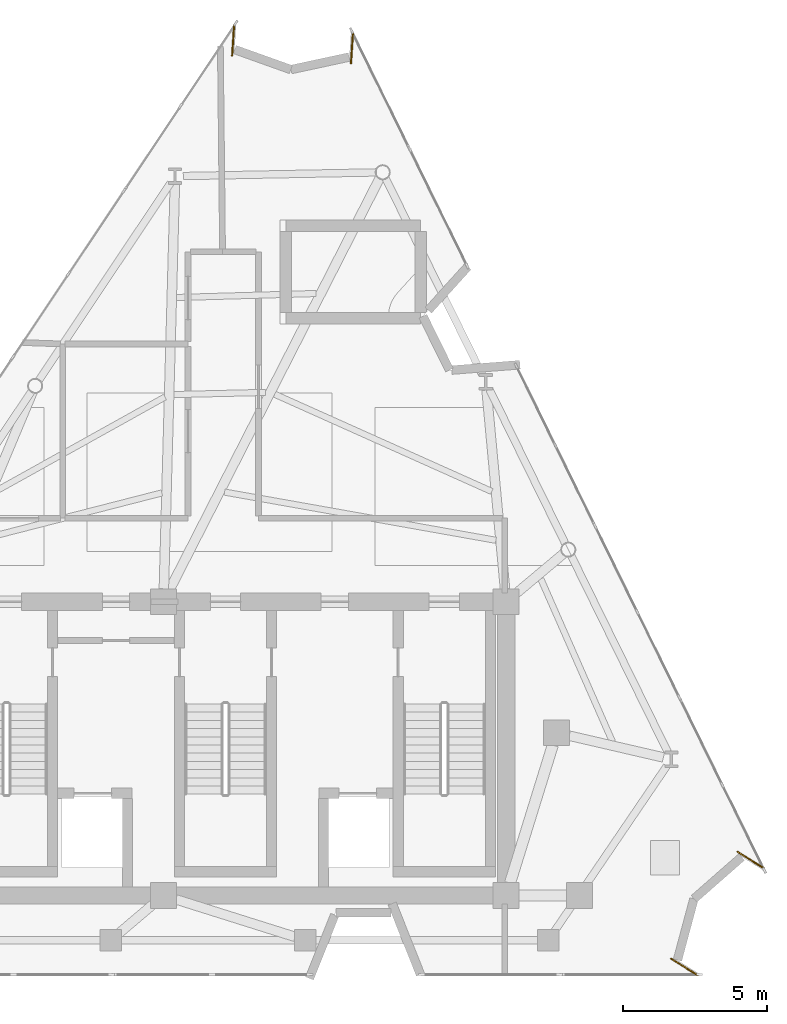
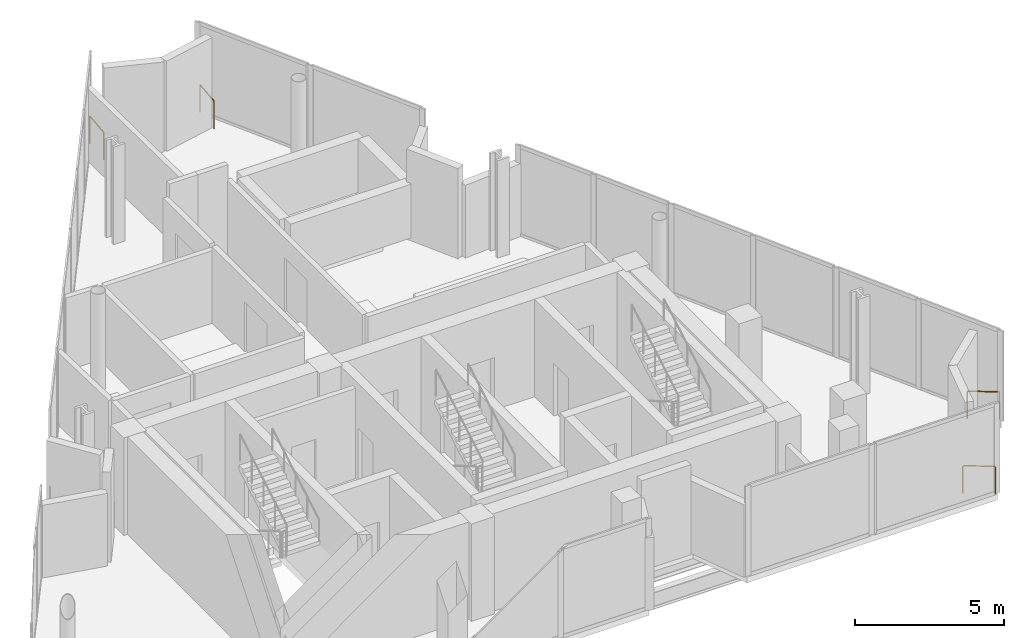
# One storey, part 9 of 9: 4 railings.
"""IFC4 building model written with IfcOpenShell, lengths in metres."""

from ifc_helpers import new_model, si_unit, direction, frame, origin, origin_2d, place, context, subcontext, project, spatial, circle, extrude, material, type_object, element, save


model = new_model("IFC4")

# Units and contexts
model_context = context("Model", 3, precision=1e-05, world=origin(), true_north=direction((0.0, 1.0)))
body_context = subcontext(model_context, "Body", "Model", "MODEL_VIEW")
ifc_project = project(units=[si_unit("LENGTHUNIT", "METRE"), si_unit("AREAUNIT", "SQUARE_METRE"), si_unit("VOLUMEUNIT", "CUBIC_METRE"), si_unit("PLANEANGLEUNIT", "RADIAN"), si_unit("MASSUNIT", "GRAM", prefix="KILO")], contexts=[model_context])

# Site, building, storey
site_placement = place(None, origin())
site = spatial("IfcSite", under=ifc_project, at=site_placement, CompositionType="ELEMENT")
building_placement = place(site_placement, origin())
building = spatial("IfcBuilding", under=site, at=building_placement, Name="Almagre Mirador Tower", CompositionType="ELEMENT")
storey_placement = place(building_placement, frame((0.0, 0.0, 306.5)))
storey = spatial("IfcBuildingStorey", under=building, at=storey_placement, Name="L79", CompositionType="ELEMENT", Elevation=306.5)

# Railings
ifc_material = material(Name="Black anodized aluminium", Category="aluminium")
railing_type = type_object("IfcRailingType", Name="RLG-BAL-1150", PredefinedType="BALUSTRADE", material=ifc_material)
railing_1_placement = place(storey_placement, frame((37.602294921875, 34.77587890625, 0.0)))
element("IfcRailing", 1, at=railing_1_placement, inside=storey, type_object=railing_type, Name="L79 perimeter edge balustrade 04", PredefinedType="BALUSTRADE", context=body_context, shape_type="SweptSolid", body=[
    extrude(circle(Radius=0.02392578125, at=origin_2d()), frame((0.0, 0.0, 1.1259765625), z_axis=(-0.065466988869, -0.997854735605, 0.0), x_axis=(0.997854735605, -0.065466988869, 0.0)), (0.0, 0.0, 1.0), 1.062744140625),
    extrude(circle(Radius=0.02099609375, at=origin_2d()), origin(), (0.0, 0.0, 1.0), 1.101806640625),
    extrude(circle(Radius=0.02099609375, at=origin_2d()), frame((-0.069580078125, -1.060546875, 0.0)), (0.0, 0.0, 1.0), 1.101806640625),
])
railing_2_placement = place(storey_placement, frame((41.658447265625, 33.444091796875, 0.0)))
element("IfcRailing", 2, at=railing_2_placement, inside=storey, type_object=railing_type, Name="L79 perimeter edge balustrade 05", PredefinedType="BALUSTRADE", context=body_context, shape_type="SweptSolid", body=[
    extrude(circle(Radius=0.02392578125, at=origin_2d()), frame((0.0, 0.0, 1.1259765625), z_axis=(0.06548199838, 0.997853750751, 0.0), x_axis=(-0.997853750751, 0.06548199838, 0.0)), (0.0, 0.0, 1.0), 1.0625),
    extrude(circle(Radius=0.02099609375, at=origin_2d()), origin(), (0.0, 0.0, 1.0), 1.101806640625),
    extrude(circle(Radius=0.02099609375, at=origin_2d()), frame((0.069580078125, 1.060302734375, 0.0)), (0.0, 0.0, 1.0), 1.101806640625),
])
railing_3_placement = place(storey_placement, frame((56.009765625, 5.4873046875, 0.0)))
element("IfcRailing", 3, at=railing_3_placement, inside=storey, type_object=railing_type, Name="L79 perimeter edge balustrade 06", PredefinedType="BALUSTRADE", context=body_context, shape_type="SweptSolid", body=[
    extrude(circle(Radius=0.02392578125, at=origin_2d()), frame((0.0, 0.0, 1.1259765625), z_axis=(-0.848626010961, 0.528993283058, 0.0), x_axis=(-0.528993283058, -0.848626010961, 0.0)), (0.0, 0.0, 1.0), 1.091552734375),
    extrude(circle(Radius=0.02099609375, at=origin_2d()), origin(), (0.0, 0.0, 1.0), 1.101806640625),
    extrude(circle(Radius=0.02099609375, at=origin_2d()), frame((-0.92626953125, 0.577392578125, 0.0)), (0.0, 0.0, 1.0), 1.101806640625),
])
railing_4_placement = place(storey_placement, frame((52.7744140625, 2.355712890625, 0.0)))
element("IfcRailing", 4, at=railing_4_placement, inside=storey, type_object=railing_type, Name="L79 perimeter edge balustrade 07", PredefinedType="BALUSTRADE", context=body_context, shape_type="SweptSolid", body=[
    extrude(circle(Radius=0.02392578125, at=origin_2d()), frame((0.0, 0.0, 1.1259765625), z_axis=(0.849027604088, -0.528348490578, 0.0), x_axis=(0.528348490578, 0.849027604088, 0.0)), (0.0, 0.0, 1.0), 1.091064453125),
    extrude(circle(Radius=0.02099609375, at=origin_2d()), origin(), (0.0, 0.0, 1.0), 1.101806640625),
    extrude(circle(Radius=0.02099609375, at=origin_2d()), frame((0.92626953125, -0.576416015625, 0.0)), (0.0, 0.0, 1.0), 1.101806640625),
])

save(model, "model.ifc")
